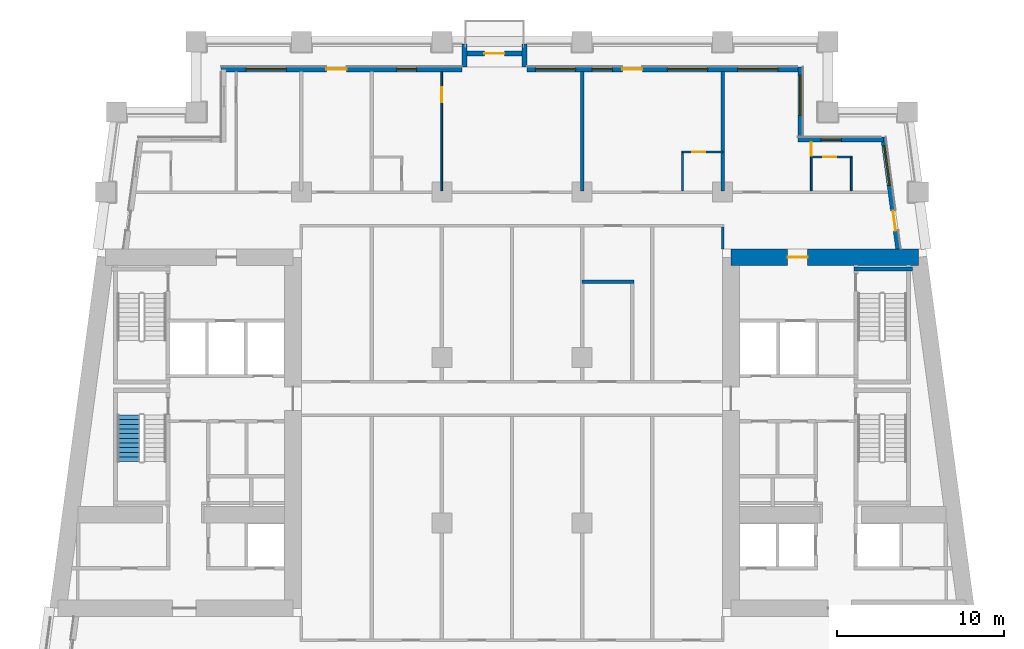
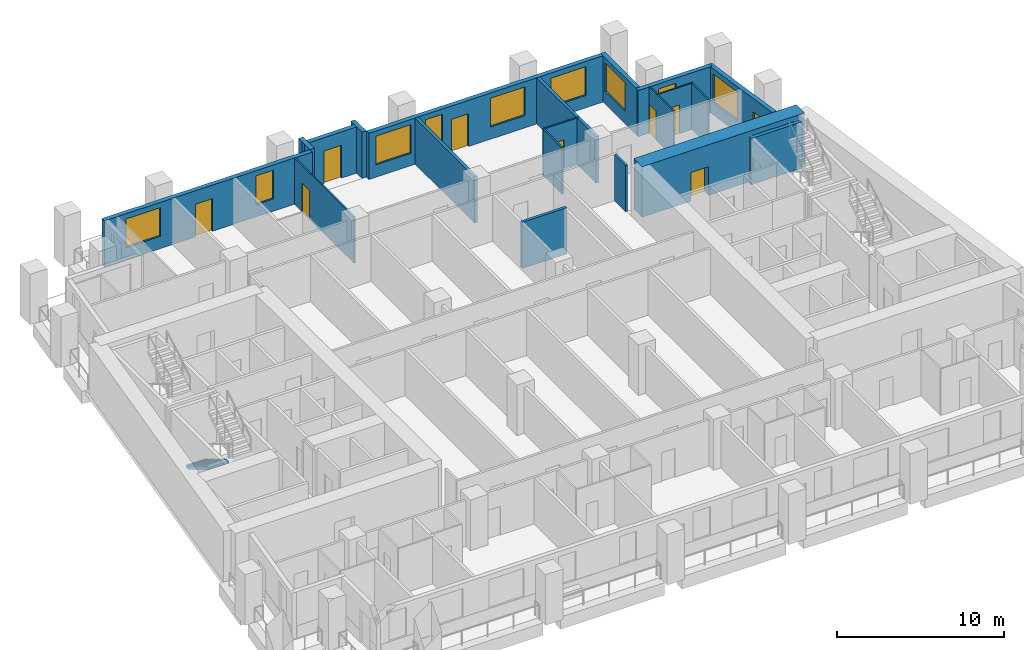
# One storey, part 7 of 13: 20 walls, 9 doors, 9 windows, 1 stair flight, 18 openings, 1 element without a shape of its own.
"""IFC4 building model written with IfcOpenShell, lengths in metres."""

from ifc_helpers import new_model, si_unit, direction, frame, frame_2d, origin, place, context, subcontext, project, spatial, polyline, rectangle, outline, extrude, material, layer, layer_set, type_object, element, fill, aggregate, save


model = new_model("IFC4")

# Units and contexts
model_context = context("Model", 3, precision=1e-05, world=origin(), true_north=direction((0.0, 1.0)))
body_context = subcontext(model_context, "Body", "Model", "MODEL_VIEW")
ifc_project = project(units=[si_unit("LENGTHUNIT", "METRE"), si_unit("AREAUNIT", "SQUARE_METRE"), si_unit("VOLUMEUNIT", "CUBIC_METRE"), si_unit("PLANEANGLEUNIT", "RADIAN"), si_unit("MASSUNIT", "GRAM", prefix="KILO")], contexts=[model_context])

# Site, building, storey
site_placement = place(None, origin())
site = spatial("IfcSite", under=ifc_project, at=site_placement, CompositionType="ELEMENT")
building_placement = place(site_placement, origin())
building = spatial("IfcBuilding", under=site, at=building_placement, Name="Candeia Pilgrim Tower and Theatre", CompositionType="ELEMENT")
storey_placement = place(building_placement, frame((0.0, 0.0, 105.800048828125)))
storey = spatial("IfcBuildingStorey", under=building, at=storey_placement, Name="L24", CompositionType="ELEMENT", Elevation=105.800048828125)

# Wall, opening, door
ifc_material_1 = material(Name="Concrete C70/85", Category="concrete")
ifc_layer_1 = layer(ifc_material_1, 1.0)
ifc_layer_set_1 = layer_set([ifc_layer_1], Name="Core wall 1000 C70/85")
wall_type_1 = type_object("IfcWallType", Name="Core wall 1000 C70/85", PredefinedType="SHEAR", material=ifc_layer_set_1)
wall_1_placement = place(storey_placement, frame((126.5, 131.89990234375, 0.0), z_axis=(0.0, 0.0, 1.0), x_axis=(1.0, 0.0, 0.0)))
wall_1 = element("IfcWall", 1, at=wall_1_placement, inside=storey, type_object=wall_type_1, Name="Core wall E1", PredefinedType="SHEAR", context=body_context, shape_type="SweptSolid", body=[
    extrude(rectangle(XDim=11.23193359375, YDim=1.0, at=frame_2d((5.615966796875, 0.0))), origin(), (0.0, 0.0, 1.0), 3.699951171875),
])
opening_1_placement = place(wall_1_placement, frame((3.386474609375, 0.0, 0.0)))
opening_1 = element("IfcOpeningElement", 2, at=opening_1_placement, cuts=wall_1, Name="Opening L24-D063", PredefinedType="OPENING", context=body_context, shape_type="SweptSolid", body=[
    extrude(rectangle(XDim=1.199951171875, YDim=2.10009765625, at=frame_2d((0.60009765625, 1.050048828125))), frame((0.0, 0.510009765625, 0.0), z_axis=(0.0, -1.0, 0.0), x_axis=(1.0, 0.0, 0.0)), (0.0, 0.0, 1.0), 1.02001953125),
])
ifc_material_2 = material(Name="Steel fire door set", Category="steel")
door_type_1 = type_object("IfcDoorType", Name="D-1200-FD60", OperationType="NOTDEFINED", PredefinedType="DOOR", material=ifc_material_2)
door_1_placement = place(opening_1_placement, origin())
door_1 = element("IfcDoor", 3, at=door_1_placement, inside=storey, type_object=door_type_1, Name="Door L24-D063", OperationType="SINGLE_SWING_LEFT", OverallHeight=2.10009765625, OverallWidth=1.199951171875, PredefinedType="DOOR", context=body_context, shape_type="SweptSolid", body=[
    extrude(rectangle(XDim=1.199951171875, YDim=2.10009765625, at=frame_2d((0.60009765625, 1.050048828125))), frame((0.0, 0.02490234375, 0.0), z_axis=(0.0, -1.0, 0.0), x_axis=(1.0, 0.0, 0.0)), (0.0, 0.0, 1.0), 0.050048828125),
])
fill(opening_1, door_1)

# Wall, openings, door, window
ifc_material_3 = material(Name="Ceramic block masonry", Category="masonry")
ifc_layer_2 = layer(ifc_material_3, 0.300048828125)
ifc_layer_set_2 = layer_set([ifc_layer_2], Name="EW1 glazing-line wall 300")
wall_type_2 = type_object("IfcWallType", Name="EW1 glazing-line wall 300", PredefinedType="SOLIDWALL", material=ifc_layer_set_2)
wall_2_placement = place(storey_placement, frame((136.50439453125, 132.39990234375, 0.0), z_axis=(0.0, 0.0, 1.0), x_axis=(-0.133399697462, 0.99106231929, 0.0)))
wall_2 = element("IfcWall", 4, at=wall_2_placement, inside=storey, type_object=wall_type_2, Name="External wall L24-3.1", PredefinedType="SOLIDWALL", context=body_context, shape_type="SweptSolid", body=[
    extrude(rectangle(XDim=6.740478515625, YDim=0.300048828125, at=frame_2d((3.3701171875, 0.0))), origin(), (0.0, 0.0, 1.0), 3.3798828125),
])
opening_2_placement = place(wall_2_placement, frame((1.115234375, 0.0, 0.0)))
opening_2 = element("IfcOpeningElement", 5, at=opening_2_placement, cuts=wall_2, Name="Opening L24-ED246", PredefinedType="OPENING", context=body_context, shape_type="SweptSolid", body=[
    extrude(rectangle(XDim=1.199951171875, YDim=2.39990234375, at=frame_2d((0.60009765625, 1.199951171875))), frame((0.0, 0.16015625, 0.0), z_axis=(0.0, -1.0, 0.0), x_axis=(1.0, 0.0, 0.0)), (0.0, 0.0, 1.0), 0.320068359375),
])
opening_3_placement = place(wall_2_placement, frame((3.83544921875, 0.0, 0.89990234375)))
opening_3 = element("IfcOpeningElement", 6, at=opening_3_placement, cuts=wall_2, Name="Opening W-A", PredefinedType="OPENING", context=body_context, shape_type="SweptSolid", body=[
    extrude(rectangle(XDim=2.39990234375, YDim=2.10009765625, at=frame_2d((1.199951171875, 1.050048828125))), frame((0.0, 0.16015625, 0.0), z_axis=(0.0, -1.0, 0.0), x_axis=(1.0, 0.0, 0.0)), (0.0, 0.0, 1.0), 0.320068359375),
])
ifc_material_4 = material(Name="Aluminium framed glazed door", Category="aluminium")
door_type_2 = type_object("IfcDoorType", Name="Loggia door 1200x2400", OperationType="DOUBLE_DOOR_SINGLE_SWING", PredefinedType="DOOR", material=ifc_material_4)
door_2_placement = place(opening_2_placement, origin())
door_2 = element("IfcDoor", 7, at=door_2_placement, inside=storey, type_object=door_type_2, Name="Loggia door L24-ED246", OperationType="DOUBLE_DOOR_SINGLE_SWING", OverallHeight=2.39990234375, OverallWidth=1.199951171875, PredefinedType="DOOR", context=body_context, shape_type="SweptSolid", body=[
    extrude(rectangle(XDim=1.199951171875, YDim=2.39990234375, at=frame_2d((0.60009765625, 1.199951171875))), frame((0.0, 0.02490234375, 0.0), z_axis=(0.0, -1.0, 0.0), x_axis=(1.0, 0.0, 0.0)), (0.0, 0.0, 1.0), 0.050048828125),
])
fill(opening_2, door_2)
ifc_material_5 = material(Name="Aluminium framed double glazing", Category="aluminium")
window_type_1 = type_object("IfcWindowType", Name="W-A window 2400x2100", PartitioningType="DOUBLE_PANEL_VERTICAL", PredefinedType="WINDOW", material=ifc_material_5)
window_1_placement = place(opening_3_placement, origin())
window_1 = element("IfcWindow", 8, at=window_1_placement, inside=storey, type_object=window_type_1, Name="Window W-A L24", OverallHeight=2.10009765625, OverallWidth=2.39990234375, PartitioningType="SINGLE_PANEL", PredefinedType="WINDOW", context=body_context, shape_type="SweptSolid", body=[
    extrude(rectangle(XDim=2.39990234375, YDim=2.10009765625, at=frame_2d((1.199951171875, 1.050048828125))), frame((0.0, 0.030029296875, 0.0), z_axis=(0.0, -1.0, 0.0), x_axis=(1.0, 0.0, 0.0)), (0.0, 0.0, 1.0), 0.06005859375),
])
fill(opening_3, window_1)

# Wall, opening, window
wall_3_placement = place(storey_placement, frame((135.62255859375, 138.949951171875, 0.0), z_axis=(0.0, 0.0, 1.0), x_axis=(-1.0, 0.0, 0.0)))
wall_3 = element("IfcWall", 9, at=wall_3_placement, inside=storey, type_object=wall_type_2, Name="External wall L24-4.0", PredefinedType="SOLIDWALL", context=body_context, shape_type="SweptSolid", body=[
    extrude(rectangle(XDim=5.12255859375, YDim=0.300048828125, at=frame_2d((2.561279296875, 0.0))), origin(), (0.0, 0.0, 1.0), 3.3798828125),
])
opening_4_placement = place(wall_3_placement, frame((2.522705078125, 0.0, 0.89990234375)))
opening_4 = element("IfcOpeningElement", 10, at=opening_4_placement, cuts=wall_3, Name="Opening W-B", PredefinedType="OPENING", context=body_context, shape_type="SweptSolid", body=[
    extrude(rectangle(XDim=1.199951171875, YDim=2.10009765625, at=frame_2d((0.60009765625, 1.050048828125))), frame((0.0, 0.16015625, 0.0), z_axis=(0.0, -1.0, 0.0), x_axis=(1.0, 0.0, 0.0)), (0.0, 0.0, 1.0), 0.320068359375),
])
window_type_2 = type_object("IfcWindowType", Name="W-B window 1200x2100", PartitioningType="SINGLE_PANEL", PredefinedType="WINDOW", material=ifc_material_5)
window_2_placement = place(opening_4_placement, origin())
window_2 = element("IfcWindow", 11, at=window_2_placement, inside=storey, type_object=window_type_2, Name="Window W-B L24", OverallHeight=2.10009765625, OverallWidth=1.199951171875, PartitioningType="SINGLE_PANEL", PredefinedType="WINDOW", context=body_context, shape_type="SweptSolid", body=[
    extrude(rectangle(XDim=1.199951171875, YDim=2.10009765625, at=frame_2d((0.60009765625, 1.050048828125))), frame((0.0, 0.030029296875, 0.0), z_axis=(0.0, -1.0, 0.0), x_axis=(1.0, 0.0, 0.0)), (0.0, 0.0, 1.0), 0.06005859375),
])
fill(opening_4, window_2)

wall_4_placement = place(storey_placement, frame((130.64990234375, 138.949951171875, 0.0), z_axis=(0.0, 0.0, 1.0), x_axis=(0.0, 1.0, 0.0)))
wall_4 = element("IfcWall", 12, at=wall_4_placement, inside=storey, type_object=wall_type_2, Name="External wall L24-5.0", PredefinedType="SOLIDWALL", context=body_context, shape_type="SweptSolid", body=[
    extrude(rectangle(XDim=4.35009765625, YDim=0.300048828125, at=frame_2d((2.175048828125, 0.0))), origin(), (0.0, 0.0, 1.0), 3.3798828125),
])
opening_5_placement = place(wall_4_placement, frame((1.449951171875, 0.0, 0.89990234375)))
opening_5 = element("IfcOpeningElement", 13, at=opening_5_placement, cuts=wall_4, Name="Opening W-A", PredefinedType="OPENING", context=body_context, shape_type="SweptSolid", body=[
    extrude(rectangle(XDim=2.39990234375, YDim=2.10009765625, at=frame_2d((1.199951171875, 1.050048828125))), frame((0.0, 0.16015625, 0.0), z_axis=(0.0, -1.0, 0.0), x_axis=(1.0, 0.0, 0.0)), (0.0, 0.0, 1.0), 0.320068359375),
])
window_3_placement = place(opening_5_placement, origin())
window_3 = element("IfcWindow", 14, at=window_3_placement, inside=storey, type_object=window_type_1, Name="Window W-A L24", OverallHeight=2.10009765625, OverallWidth=2.39990234375, PartitioningType="SINGLE_PANEL", PredefinedType="WINDOW", context=body_context, shape_type="SweptSolid", body=[
    extrude(rectangle(XDim=2.39990234375, YDim=2.10009765625, at=frame_2d((1.199951171875, 1.050048828125))), frame((0.0, 0.030029296875, 0.0), z_axis=(0.0, -1.0, 0.0), x_axis=(1.0, 0.0, 0.0)), (0.0, 0.0, 1.0), 0.06005859375),
])
fill(opening_5, window_3)

# Wall, openings, door, windows
wall_5_placement = place(storey_placement, frame((130.64990234375, 143.14990234375, 0.0), z_axis=(0.0, 0.0, 1.0), x_axis=(-1.0, 0.0, 0.0)))
wall_5 = element("IfcWall", 15, at=wall_5_placement, inside=storey, type_object=wall_type_2, Name="External wall L24-6.0", PredefinedType="SOLIDWALL", context=body_context, shape_type="SweptSolid", body=[
    extrude(rectangle(XDim=16.349853515625, YDim=0.300048828125, at=frame_2d((8.1748046875, 0.0))), origin(), (0.0, 0.0, 1.0), 3.3798828125),
])
opening_6_placement = place(wall_5_placement, frame((1.35009765625, 0.0, 0.89990234375)))
opening_6 = element("IfcOpeningElement", 16, at=opening_6_placement, cuts=wall_5, Name="Opening W-A", PredefinedType="OPENING", context=body_context, shape_type="SweptSolid", body=[
    extrude(rectangle(XDim=2.39990234375, YDim=2.10009765625, at=frame_2d((1.199951171875, 1.050048828125))), frame((0.0, 0.16015625, 0.0), z_axis=(0.0, -1.0, 0.0), x_axis=(1.0, 0.0, 0.0)), (0.0, 0.0, 1.0), 0.320068359375),
])
opening_7_placement = place(wall_5_placement, frame((5.550048828125, 0.0, 0.89990234375)))
opening_7 = element("IfcOpeningElement", 17, at=opening_7_placement, cuts=wall_5, Name="Opening W-A", PredefinedType="OPENING", context=body_context, shape_type="SweptSolid", body=[
    extrude(rectangle(XDim=2.39990234375, YDim=2.10009765625, at=frame_2d((1.199951171875, 1.050048828125))), frame((0.0, 0.16015625, 0.0), z_axis=(0.0, -1.0, 0.0), x_axis=(1.0, 0.0, 0.0)), (0.0, 0.0, 1.0), 0.320068359375),
])
opening_8_placement = place(wall_5_placement, frame((9.449951171875, 0.0, 0.0)))
opening_8 = element("IfcOpeningElement", 18, at=opening_8_placement, cuts=wall_5, Name="Opening L24-ED247", PredefinedType="OPENING", context=body_context, shape_type="SweptSolid", body=[
    extrude(rectangle(XDim=1.199951171875, YDim=2.39990234375, at=frame_2d((0.60009765625, 1.199951171875))), frame((0.0, 0.16015625, 0.0), z_axis=(0.0, -1.0, 0.0), x_axis=(1.0, 0.0, 0.0)), (0.0, 0.0, 1.0), 0.320068359375),
])
opening_9_placement = place(wall_5_placement, frame((11.25, 0.0, 0.89990234375)))
opening_9 = element("IfcOpeningElement", 19, at=opening_9_placement, cuts=wall_5, Name="Opening W-B", PredefinedType="OPENING", context=body_context, shape_type="SweptSolid", body=[
    extrude(rectangle(XDim=1.199951171875, YDim=2.10009765625, at=frame_2d((0.60009765625, 1.050048828125))), frame((0.0, 0.16015625, 0.0), z_axis=(0.0, -1.0, 0.0), x_axis=(1.0, 0.0, 0.0)), (0.0, 0.0, 1.0), 0.320068359375),
])
opening_10_placement = place(wall_5_placement, frame((13.449951171875, 0.0, 0.89990234375)))
opening_10 = element("IfcOpeningElement", 20, at=opening_10_placement, cuts=wall_5, Name="Opening W-A", PredefinedType="OPENING", context=body_context, shape_type="SweptSolid", body=[
    extrude(rectangle(XDim=2.39990234375, YDim=2.10009765625, at=frame_2d((1.199951171875, 1.050048828125))), frame((0.0, 0.16015625, 0.0), z_axis=(0.0, -1.0, 0.0), x_axis=(1.0, 0.0, 0.0)), (0.0, 0.0, 1.0), 0.320068359375),
])
door_3_placement = place(opening_8_placement, origin())
door_3 = element("IfcDoor", 21, at=door_3_placement, inside=storey, type_object=door_type_2, Name="Loggia door L24-ED247", OperationType="DOUBLE_DOOR_SINGLE_SWING", OverallHeight=2.39990234375, OverallWidth=1.199951171875, PredefinedType="DOOR", context=body_context, shape_type="SweptSolid", body=[
    extrude(rectangle(XDim=1.199951171875, YDim=2.39990234375, at=frame_2d((0.60009765625, 1.199951171875))), frame((0.0, 0.02490234375, 0.0), z_axis=(0.0, -1.0, 0.0), x_axis=(1.0, 0.0, 0.0)), (0.0, 0.0, 1.0), 0.050048828125),
])
fill(opening_8, door_3)
window_4_placement = place(opening_6_placement, origin())
window_4 = element("IfcWindow", 22, at=window_4_placement, inside=storey, type_object=window_type_1, Name="Window W-A L24", OverallHeight=2.10009765625, OverallWidth=2.39990234375, PartitioningType="SINGLE_PANEL", PredefinedType="WINDOW", context=body_context, shape_type="SweptSolid", body=[
    extrude(rectangle(XDim=2.39990234375, YDim=2.10009765625, at=frame_2d((1.199951171875, 1.050048828125))), frame((0.0, 0.030029296875, 0.0), z_axis=(0.0, -1.0, 0.0), x_axis=(1.0, 0.0, 0.0)), (0.0, 0.0, 1.0), 0.06005859375),
])
fill(opening_6, window_4)
window_5_placement = place(opening_7_placement, origin())
window_5 = element("IfcWindow", 23, at=window_5_placement, inside=storey, type_object=window_type_1, Name="Window W-A L24", OverallHeight=2.10009765625, OverallWidth=2.39990234375, PartitioningType="SINGLE_PANEL", PredefinedType="WINDOW", context=body_context, shape_type="SweptSolid", body=[
    extrude(rectangle(XDim=2.39990234375, YDim=2.10009765625, at=frame_2d((1.199951171875, 1.050048828125))), frame((0.0, 0.030029296875, 0.0), z_axis=(0.0, -1.0, 0.0), x_axis=(1.0, 0.0, 0.0)), (0.0, 0.0, 1.0), 0.06005859375),
])
fill(opening_7, window_5)
window_6_placement = place(opening_10_placement, origin())
window_6 = element("IfcWindow", 24, at=window_6_placement, inside=storey, type_object=window_type_1, Name="Window W-A L24", OverallHeight=2.10009765625, OverallWidth=2.39990234375, PartitioningType="SINGLE_PANEL", PredefinedType="WINDOW", context=body_context, shape_type="SweptSolid", body=[
    extrude(rectangle(XDim=2.39990234375, YDim=2.10009765625, at=frame_2d((1.199951171875, 1.050048828125))), frame((0.0, 0.030029296875, 0.0), z_axis=(0.0, -1.0, 0.0), x_axis=(1.0, 0.0, 0.0)), (0.0, 0.0, 1.0), 0.06005859375),
])
fill(opening_10, window_6)
window_7_placement = place(opening_9_placement, origin())
window_7 = element("IfcWindow", 25, at=window_7_placement, inside=storey, type_object=window_type_2, Name="Window W-B L24", OverallHeight=2.10009765625, OverallWidth=1.199951171875, PartitioningType="SINGLE_PANEL", PredefinedType="WINDOW", context=body_context, shape_type="SweptSolid", body=[
    extrude(rectangle(XDim=1.199951171875, YDim=2.10009765625, at=frame_2d((0.60009765625, 1.050048828125))), frame((0.0, 0.030029296875, 0.0), z_axis=(0.0, -1.0, 0.0), x_axis=(1.0, 0.0, 0.0)), (0.0, 0.0, 1.0), 0.06005859375),
])
fill(opening_9, window_7)

wall_6_placement = place(storey_placement, frame((110.39990234375, 143.14990234375, 0.0), z_axis=(0.0, 0.0, 1.0), x_axis=(-1.0, 0.0, 0.0)))
wall_6 = element("IfcWall", 26, at=wall_6_placement, inside=storey, type_object=wall_type_2, Name="External wall L24-6.1", PredefinedType="SOLIDWALL", context=body_context, shape_type="SweptSolid", body=[
    extrude(rectangle(XDim=14.39990234375, YDim=0.300048828125, at=frame_2d((7.199951171875, 0.0))), origin(), (0.0, 0.0, 1.0), 3.3798828125),
])
opening_11_placement = place(wall_6_placement, frame((2.699951171875, 0.0, 0.89990234375)))
opening_11 = element("IfcOpeningElement", 27, at=opening_11_placement, cuts=wall_6, Name="Opening W-B", PredefinedType="OPENING", context=body_context, shape_type="SweptSolid", body=[
    extrude(rectangle(XDim=1.199951171875, YDim=2.10009765625, at=frame_2d((0.60009765625, 1.050048828125))), frame((0.0, 0.16015625, 0.0), z_axis=(0.0, -1.0, 0.0), x_axis=(1.0, 0.0, 0.0)), (0.0, 0.0, 1.0), 0.320068359375),
])
opening_12_placement = place(wall_6_placement, frame((6.89990234375, 0.0, 0.0)))
opening_12 = element("IfcOpeningElement", 28, at=opening_12_placement, cuts=wall_6, Name="Opening L24-ED248", PredefinedType="OPENING", context=body_context, shape_type="SweptSolid", body=[
    extrude(rectangle(XDim=1.199951171875, YDim=2.39990234375, at=frame_2d((0.60009765625, 1.199951171875))), frame((0.0, 0.16015625, 0.0), z_axis=(0.0, -1.0, 0.0), x_axis=(1.0, 0.0, 0.0)), (0.0, 0.0, 1.0), 0.320068359375),
])
opening_13_placement = place(wall_6_placement, frame((10.5, 0.0, 0.89990234375)))
opening_13 = element("IfcOpeningElement", 29, at=opening_13_placement, cuts=wall_6, Name="Opening W-A", PredefinedType="OPENING", context=body_context, shape_type="SweptSolid", body=[
    extrude(rectangle(XDim=2.39990234375, YDim=2.10009765625, at=frame_2d((1.199951171875, 1.050048828125))), frame((0.0, 0.16015625, 0.0), z_axis=(0.0, -1.0, 0.0), x_axis=(1.0, 0.0, 0.0)), (0.0, 0.0, 1.0), 0.320068359375),
])
door_4_placement = place(opening_12_placement, origin())
door_4 = element("IfcDoor", 30, at=door_4_placement, inside=storey, type_object=door_type_2, Name="Loggia door L24-ED248", OperationType="DOUBLE_DOOR_SINGLE_SWING", OverallHeight=2.39990234375, OverallWidth=1.199951171875, PredefinedType="DOOR", context=body_context, shape_type="SweptSolid", body=[
    extrude(rectangle(XDim=1.199951171875, YDim=2.39990234375, at=frame_2d((0.60009765625, 1.199951171875))), frame((0.0, 0.02490234375, 0.0), z_axis=(0.0, -1.0, 0.0), x_axis=(1.0, 0.0, 0.0)), (0.0, 0.0, 1.0), 0.050048828125),
])
fill(opening_12, door_4)
window_8_placement = place(opening_13_placement, origin())
window_8 = element("IfcWindow", 31, at=window_8_placement, inside=storey, type_object=window_type_1, Name="Window W-A L24", OverallHeight=2.10009765625, OverallWidth=2.39990234375, PartitioningType="SINGLE_PANEL", PredefinedType="WINDOW", context=body_context, shape_type="SweptSolid", body=[
    extrude(rectangle(XDim=2.39990234375, YDim=2.10009765625, at=frame_2d((1.199951171875, 1.050048828125))), frame((0.0, 0.030029296875, 0.0), z_axis=(0.0, -1.0, 0.0), x_axis=(1.0, 0.0, 0.0)), (0.0, 0.0, 1.0), 0.06005859375),
])
fill(opening_13, window_8)
window_9_placement = place(opening_11_placement, origin())
window_9 = element("IfcWindow", 32, at=window_9_placement, inside=storey, type_object=window_type_2, Name="Window W-B L24", OverallHeight=2.10009765625, OverallWidth=1.199951171875, PartitioningType="SINGLE_PANEL", PredefinedType="WINDOW", context=body_context, shape_type="SweptSolid", body=[
    extrude(rectangle(XDim=1.199951171875, YDim=2.10009765625, at=frame_2d((0.60009765625, 1.050048828125))), frame((0.0, 0.030029296875, 0.0), z_axis=(0.0, -1.0, 0.0), x_axis=(1.0, 0.0, 0.0)), (0.0, 0.0, 1.0), 0.06005859375),
])
fill(opening_11, window_9)

# Walls
ifc_layer_3 = layer(ifc_material_3, 0.300048828125)
ifc_layer_set_3 = layer_set([ifc_layer_3], Name="EW2 entrance infill wall 300")
wall_type_3 = type_object("IfcWallType", Name="EW2 entrance infill wall 300", PredefinedType="SOLIDWALL", material=ifc_layer_set_3)
for number, where, z_axis, x_axis, name in (
    (33, (114.14990234375, 143.300048828125, 0.0), (0.0, 0.0, 1.0), (0.0, 1.0, 0.0), "Alcove wall L24"),
    (34, (110.550048828125, 143.300048828125, 0.0), (0.0, 0.0, 1.0), (0.0, 1.0, 0.0), "Alcove wall L24"),
):
    element("IfcWall", number, at=place(storey_placement, frame(where, z_axis=z_axis, x_axis=x_axis)), inside=storey, type_object=wall_type_3, Name=name, PredefinedType="SOLIDWALL", context=body_context, shape_type="SweptSolid", body=[
        extrude(rectangle(XDim=1.349853515625, YDim=0.300048828125, at=frame_2d((0.6748046875, 0.0))), origin(), (0.0, 0.0, 1.0), 3.3798828125),
    ])

# Wall, opening, door
wall_7_placement = place(storey_placement, frame((114.300048828125, 144.10009765625, 0.0), z_axis=(0.0, 0.0, 1.0), x_axis=(-1.0, 0.0, 0.0)))
wall_7 = element("IfcWall", 35, at=wall_7_placement, inside=storey, type_object=wall_type_3, Name="Alcove wall L24", PredefinedType="SOLIDWALL", context=body_context, shape_type="SweptSolid", body=[
    extrude(rectangle(XDim=3.900146484375, YDim=0.300048828125, at=frame_2d((1.9501953125, 0.0))), origin(), (0.0, 0.0, 1.0), 3.3798828125),
])
opening_14_placement = place(wall_7_placement, frame((1.35009765625, 0.0, 0.0)))
opening_14 = element("IfcOpeningElement", 36, at=opening_14_placement, cuts=wall_7, Name="Opening L24-ED249", PredefinedType="OPENING", context=body_context, shape_type="SweptSolid", body=[
    extrude(rectangle(XDim=1.199951171875, YDim=2.39990234375, at=frame_2d((0.60009765625, 1.199951171875))), frame((0.0, 0.16015625, 0.0), z_axis=(0.0, -1.0, 0.0), x_axis=(1.0, 0.0, 0.0)), (0.0, 0.0, 1.0), 0.320068359375),
])
door_5_placement = place(opening_14_placement, origin())
door_5 = element("IfcDoor", 37, at=door_5_placement, inside=storey, type_object=door_type_2, Name="Balcony door L24-ED249", OperationType="DOUBLE_DOOR_SINGLE_SWING", OverallHeight=2.39990234375, OverallWidth=1.199951171875, PredefinedType="DOOR", context=body_context, shape_type="SweptSolid", body=[
    extrude(rectangle(XDim=1.199951171875, YDim=2.39990234375, at=frame_2d((0.60009765625, 1.199951171875))), frame((0.0, 0.02490234375, 0.0), z_axis=(0.0, -1.0, 0.0), x_axis=(1.0, 0.0, 0.0)), (0.0, 0.0, 1.0), 0.050048828125),
])
fill(opening_14, door_5)

ifc_material_6 = material(Name="Gypsum board partition on steel studs", Category="steel")
ifc_layer_4 = layer(ifc_material_6, 0.10009765625)
ifc_layer_set_4 = layer_set([ifc_layer_4], Name="PW-100 room partition")
wall_type_4 = type_object("IfcWallType", Name="PW-100 room partition", PredefinedType="PARTITIONING", material=ifc_layer_set_4)
wall_8_placement = place(storey_placement, frame((131.300048828125, 137.89990234375, 0.0), z_axis=(0.0, 0.0, 1.0), x_axis=(1.0, 0.0, 0.0)))
wall_8 = element("IfcWall", 38, at=wall_8_placement, inside=storey, type_object=wall_type_4, Name="Room partition L24-045", PredefinedType="PARTITIONING", context=body_context, shape_type="SweptSolid", body=[
    extrude(rectangle(XDim=2.449951171875, YDim=0.10009765625, at=frame_2d((1.22509765625, 0.0))), origin(), (0.0, 0.0, 1.0), 3.3798828125),
])
opening_15_placement = place(wall_8_placement, frame((0.7099609375, 0.0, 0.0)))
opening_15 = element("IfcOpeningElement", 39, at=opening_15_placement, cuts=wall_8, Name="Opening L24-D045", PredefinedType="OPENING", context=body_context, shape_type="SweptSolid", body=[
    extrude(rectangle(XDim=0.800048828125, YDim=2.10009765625, at=frame_2d((0.39990234375, 1.050048828125))), frame((0.0, 0.06005859375, 0.0), z_axis=(0.0, -1.0, 0.0), x_axis=(1.0, 0.0, 0.0)), (0.0, 0.0, 1.0), 0.1201171875),
])
ifc_material_7 = material(Name="Timber door leaf", Category="wood")
door_type_3 = type_object("IfcDoorType", Name="D-800", OperationType="NOTDEFINED", PredefinedType="DOOR", material=ifc_material_7)
door_6_placement = place(opening_15_placement, origin())
door_6 = element("IfcDoor", 40, at=door_6_placement, inside=storey, type_object=door_type_3, Name="Door L24-D045", OperationType="SINGLE_SWING_LEFT", OverallHeight=2.10009765625, OverallWidth=0.800048828125, PredefinedType="DOOR", context=body_context, shape_type="SweptSolid", body=[
    extrude(rectangle(XDim=0.800048828125, YDim=2.10009765625, at=frame_2d((0.39990234375, 1.050048828125))), frame((0.0, 0.02490234375, 0.0), z_axis=(0.0, -1.0, 0.0), x_axis=(1.0, 0.0, 0.0)), (0.0, 0.0, 1.0), 0.050048828125),
])
fill(opening_15, door_6)

wall_9_placement = place(storey_placement, frame((123.550048828125, 138.199951171875, 0.0), z_axis=(0.0, 0.0, 1.0), x_axis=(1.0, 0.0, 0.0)))
wall_9 = element("IfcWall", 41, at=wall_9_placement, inside=storey, type_object=wall_type_4, Name="Room partition L24-047", PredefinedType="PARTITIONING", context=body_context, shape_type="SweptSolid", body=[
    extrude(rectangle(XDim=2.449951171875, YDim=0.10009765625, at=frame_2d((1.22509765625, 0.0))), origin(), (0.0, 0.0, 1.0), 3.3798828125),
])
opening_16_placement = place(wall_9_placement, frame((0.625, 0.0, 0.0)))
opening_16 = element("IfcOpeningElement", 42, at=opening_16_placement, cuts=wall_9, Name="Opening L24-D042", PredefinedType="OPENING", context=body_context, shape_type="SweptSolid", body=[
    extrude(rectangle(XDim=0.800048828125, YDim=2.10009765625, at=frame_2d((0.39990234375, 1.050048828125))), frame((0.0, 0.06005859375, 0.0), z_axis=(0.0, -1.0, 0.0), x_axis=(1.0, 0.0, 0.0)), (0.0, 0.0, 1.0), 0.1201171875),
])
door_7_placement = place(opening_16_placement, origin())
door_7 = element("IfcDoor", 43, at=door_7_placement, inside=storey, type_object=door_type_3, Name="Door L24-D042", OperationType="SINGLE_SWING_RIGHT", OverallHeight=2.10009765625, OverallWidth=0.800048828125, PredefinedType="DOOR", context=body_context, shape_type="SweptSolid", body=[
    extrude(rectangle(XDim=0.800048828125, YDim=2.10009765625, at=frame_2d((0.39990234375, 1.050048828125))), frame((0.0, 0.02490234375, 0.0), z_axis=(0.0, -1.0, 0.0), x_axis=(1.0, 0.0, 0.0)), (0.0, 0.0, 1.0), 0.050048828125),
])
fill(opening_16, door_7)

wall_10_placement = place(storey_placement, frame((109.199951171875, 135.875, 0.0), z_axis=(0.0, 0.0, 1.0), x_axis=(0.0, 1.0, 0.0)))
wall_10 = element("IfcWall", 44, at=wall_10_placement, inside=storey, type_object=wall_type_4, Name="Room partition L24-081", PredefinedType="PARTITIONING", context=body_context, shape_type="SweptSolid", body=[
    extrude(rectangle(XDim=7.135009765625, YDim=0.10009765625, at=frame_2d((3.5673828125, 0.0))), origin(), (0.0, 0.0, 1.0), 3.3798828125),
])
opening_17_placement = place(wall_10_placement, frame((5.2900390625, 0.0, 0.0)))
opening_17 = element("IfcOpeningElement", 45, at=opening_17_placement, cuts=wall_10, Name="Opening L24-D039", PredefinedType="OPENING", context=body_context, shape_type="SweptSolid", body=[
    extrude(rectangle(XDim=0.89990234375, YDim=2.10009765625, at=frame_2d((0.449951171875, 1.050048828125))), frame((0.0, 0.06005859375, 0.0), z_axis=(0.0, -1.0, 0.0), x_axis=(1.0, 0.0, 0.0)), (0.0, 0.0, 1.0), 0.1201171875),
])
door_type_4 = type_object("IfcDoorType", Name="D-900", OperationType="NOTDEFINED", PredefinedType="DOOR", material=ifc_material_7)
door_8_placement = place(opening_17_placement, origin())
door_8 = element("IfcDoor", 46, at=door_8_placement, inside=storey, type_object=door_type_4, Name="Door L24-D039", OperationType="SINGLE_SWING_LEFT", OverallHeight=2.10009765625, OverallWidth=0.89990234375, PredefinedType="DOOR", context=body_context, shape_type="SweptSolid", body=[
    extrude(rectangle(XDim=0.89990234375, YDim=2.10009765625, at=frame_2d((0.449951171875, 1.050048828125))), frame((0.0, 0.02490234375, 0.0), z_axis=(0.0, -1.0, 0.0), x_axis=(1.0, 0.0, 0.0)), (0.0, 0.0, 1.0), 0.050048828125),
])
fill(opening_17, door_8)

# Wall
wall_11_placement = place(storey_placement, frame((123.60009765625, 135.875, 0.0), z_axis=(0.0, 0.0, 1.0), x_axis=(0.0, 1.0, 0.0)))
element("IfcWall", 47, at=wall_11_placement, inside=storey, type_object=wall_type_4, Name="Room partition L24-098", PredefinedType="PARTITIONING", context=body_context, shape_type="SweptSolid", body=[
    extrude(rectangle(XDim=2.27490234375, YDim=0.10009765625, at=frame_2d((1.137451171875, 0.0))), origin(), (0.0, 0.0, 1.0), 3.3798828125),
])

# Wall, opening, door
wall_12_placement = place(storey_placement, frame((131.300048828125, 135.875, 0.0), z_axis=(0.0, 0.0, 1.0), x_axis=(0.0, 1.0, 0.0)))
wall_12 = element("IfcWall", 48, at=wall_12_placement, inside=storey, type_object=wall_type_4, Name="Room partition L24-107", PredefinedType="PARTITIONING", context=body_context, shape_type="SweptSolid", body=[
    extrude(rectangle(XDim=2.93505859375, YDim=0.10009765625, at=frame_2d((1.467529296875, 0.0))), origin(), (0.0, 0.0, 1.0), 3.3798828125),
])
opening_18_placement = place(wall_12_placement, frame((2.10498046875, 0.0, 0.0)))
opening_18 = element("IfcOpeningElement", 49, at=opening_18_placement, cuts=wall_12, Name="Opening L24-D044", PredefinedType="OPENING", context=body_context, shape_type="SweptSolid", body=[
    extrude(rectangle(XDim=0.800048828125, YDim=2.10009765625, at=frame_2d((0.39990234375, 1.050048828125))), frame((0.0, 0.06005859375, 0.0), z_axis=(0.0, -1.0, 0.0), x_axis=(1.0, 0.0, 0.0)), (0.0, 0.0, 1.0), 0.1201171875),
])
door_9_placement = place(opening_18_placement, origin())
door_9 = element("IfcDoor", 50, at=door_9_placement, inside=storey, type_object=door_type_3, Name="Door L24-D044", OperationType="SINGLE_SWING_RIGHT", OverallHeight=2.10009765625, OverallWidth=0.800048828125, PredefinedType="DOOR", context=body_context, shape_type="SweptSolid", body=[
    extrude(rectangle(XDim=0.800048828125, YDim=2.10009765625, at=frame_2d((0.39990234375, 1.050048828125))), frame((0.0, 0.02490234375, 0.0), z_axis=(0.0, -1.0, 0.0), x_axis=(1.0, 0.0, 0.0)), (0.0, 0.0, 1.0), 0.050048828125),
])
fill(opening_18, door_9)

# Walls
wall_13_placement = place(storey_placement, frame((133.699951171875, 135.875, 0.0), z_axis=(0.0, 0.0, 1.0), x_axis=(0.0, 1.0, 0.0)))
element("IfcWall", 51, at=wall_13_placement, inside=storey, type_object=wall_type_4, Name="Room partition L24-113", PredefinedType="PARTITIONING", context=body_context, shape_type="SweptSolid", body=[
    extrude(rectangle(XDim=1.97509765625, YDim=0.10009765625, at=frame_2d((0.987548828125, 0.0))), origin(), (0.0, 0.0, 1.0), 3.3798828125),
])
ifc_layer_5 = layer(ifc_material_6, 0.14990234375)
ifc_layer_set_5 = layer_set([ifc_layer_5], Name="PW-150 unit wall")
wall_type_5 = type_object("IfcWallType", Name="PW-150 unit wall", PredefinedType="PARTITIONING", material=ifc_layer_set_5)
wall_14_placement = place(storey_placement, frame((126.0, 132.39990234375, 0.0), z_axis=(0.0, 0.0, 1.0), x_axis=(0.0, 1.0, 0.0)))
element("IfcWall", 52, at=wall_14_placement, inside=storey, type_object=wall_type_5, Name="Unit wall L24-102", PredefinedType="PARTITIONING", context=body_context, shape_type="SweptSolid", body=[
    extrude(rectangle(XDim=1.3251953125, YDim=0.14990234375, at=frame_2d((0.66259765625, 0.0))), origin(), (0.0, 0.0, 1.0), 3.3798828125),
])
ifc_layer_6 = layer(ifc_material_6, 0.199951171875)
ifc_layer_set_6 = layer_set([ifc_layer_6], Name="PW-200 party wall")
wall_type_6 = type_object("IfcWallType", Name="PW-200 party wall", PredefinedType="PARTITIONING", material=ifc_layer_set_6)
wall_15_placement = place(storey_placement, frame((117.60009765625, 130.449951171875, 0.0), z_axis=(0.0, 0.0, 1.0), x_axis=(1.0, 0.0, 0.0)))
element("IfcWall", 53, at=wall_15_placement, inside=storey, type_object=wall_type_6, Name="Party wall L24-039", PredefinedType="PARTITIONING", context=body_context, shape_type="SweptSolid", body=[
    extrude(rectangle(XDim=3.099853515625, YDim=0.199951171875, at=frame_2d((1.5498046875, 0.0))), origin(), (0.0, 0.0, 1.0), 3.3798828125),
])
for number, where, z_axis, x_axis, name in (
    (54, (117.60009765625, 135.875, 0.0), (0.0, 0.0, 1.0), (0.0, 1.0, 0.0), "Party wall L24-091"),
    (55, (126.0, 135.875, 0.0), (0.0, 0.0, 1.0), (0.0, 1.0, 0.0), "Party wall L24-100"),
):
    element("IfcWall", number, at=place(storey_placement, frame(where, z_axis=z_axis, x_axis=x_axis)), inside=storey, type_object=wall_type_6, Name=name, PredefinedType="PARTITIONING", context=body_context, shape_type="SweptSolid", body=[
        extrude(rectangle(XDim=7.135009765625, YDim=0.199951171875, at=frame_2d((3.5673828125, 0.0))), origin(), (0.0, 0.0, 1.0), 3.3798828125),
    ])
ifc_material_8 = material(Name="Concrete C40/50", Category="concrete")
ifc_layer_7 = layer(ifc_material_8, 0.25)
ifc_layer_set_7 = layer_set([ifc_layer_7], Name="SW-250 stair wall")
wall_type_7 = type_object("IfcWallType", Name="SW-250 stair wall", PredefinedType="PARTITIONING", material=ifc_layer_set_7)
wall_16_placement = place(storey_placement, frame((133.847900390625, 131.199951171875, 0.0), z_axis=(0.0, 0.0, 1.0), x_axis=(1.0, 0.0, 0.0)))
element("IfcWall", 56, at=wall_16_placement, inside=storey, type_object=wall_type_7, Name="Stair wall L24-041", PredefinedType="PARTITIONING", context=body_context, shape_type="SweptSolid", body=[
    extrude(rectangle(XDim=3.50390625, YDim=0.25, at=frame_2d((1.751953125, 0.0))), origin(), (0.0, 0.0, 1.0), 3.3798828125),
])

# Stair, stair flight
stair_type = type_object("IfcStairType", Name="ST-TWR dog-leg escape stair", PredefinedType="HALF_TURN_STAIR", material=ifc_material_8)
stair_placement = place(storey_placement, origin())
stair = element("IfcStair", 57, at=stair_placement, inside=storey, type_object=stair_type, Name="L24 Escape stair ST1", PredefinedType="HALF_TURN_STAIR")
stair_flight_type = type_object("IfcStairFlightType", Name="SFL-RC stair flight", PredefinedType="STRAIGHT", material=ifc_material_8)
stair_flight_placement = place(storey_placement, frame((90.47705078125, 122.47509765625, 0.0), z_axis=(0.0, 0.0, 1.0), x_axis=(0.0, -1.0, 0.0)))
stair_flight = element("IfcStairFlight", 58, at=stair_flight_placement, type_object=stair_flight_type, Name="ST1 flight 1", NumberOfRisers=11, NumberOfTreads=10, PredefinedType="STRAIGHT", RiserHeight=0.168181818, TreadLength=0.28, context=body_context, shape_type="SweptSolid", body=[
    extrude(outline(polyline([(0.0, 0.0), (0.0, 0.168212890625), (0.280029296875, 0.168212890625), (0.280029296875, 0.33642578125), (0.56005859375, 0.33642578125), (0.56005859375, 0.504638671875), (0.840087890625, 0.504638671875), (0.840087890625, 0.672607421875), (1.1201171875, 0.672607421875), (1.1201171875, 0.8408203125), (1.39990234375, 0.8408203125), (1.39990234375, 1.009033203125), (1.679931640625, 1.009033203125), (1.679931640625, 1.17724609375), (1.9599609375, 1.17724609375), (1.9599609375, 1.345458984375), (2.239990234375, 1.345458984375), (2.239990234375, 1.513671875), (2.52001953125, 1.513671875), (2.52001953125, 1.681884765625), (2.800048828125, 1.681884765625), (2.800048828125, 1.85009765625), (2.800048828125, 1.5068359375), (0.291015625, 0.0), (0.0, 0.0)])), frame((0.0, 0.675048828125, 0.0), z_axis=(0.0, -1.0, 0.0), x_axis=(1.0, 0.0, 0.0)), (0.0, 0.0, 1.0), 1.35009765625),
])
aggregate(stair, [stair_flight])

save(model, "model.ifc")
